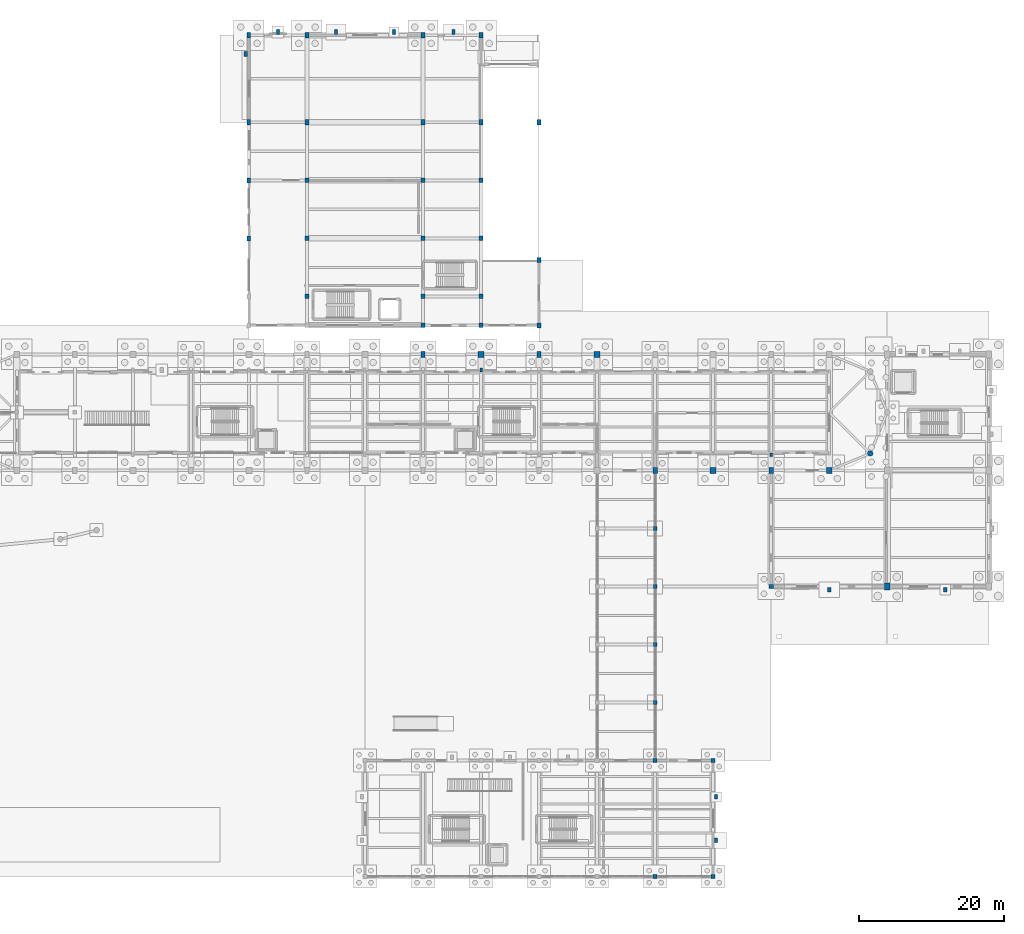
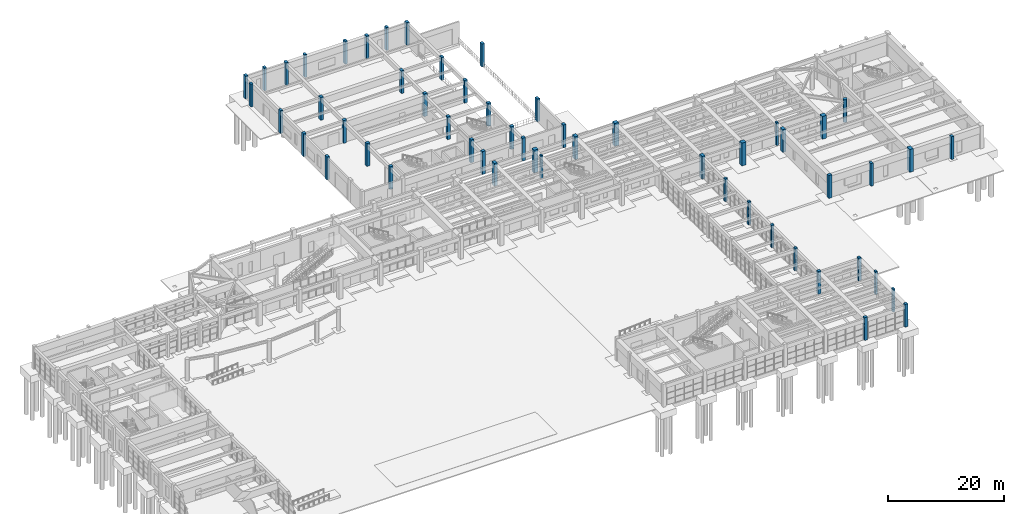
# One storey, part 8 of 68: 54 columns.
"""IFC4 building model written with IfcOpenShell, lengths in metres."""

from ifc_helpers import new_model, si_unit, direction, frame, origin, origin_2d, place, context, subcontext, project, spatial, rectangle, circle, extrude, material, material_profile, profile_set, type_object, element, save


model = new_model("IFC4")

# Units and contexts
model_context = context("Model", 3, precision=1e-05, world=origin(), true_north=direction((0.0, 1.0)))
body_context = subcontext(model_context, "Body", "Model", "MODEL_VIEW")
ifc_project = project(units=[si_unit("LENGTHUNIT", "METRE"), si_unit("AREAUNIT", "SQUARE_METRE"), si_unit("VOLUMEUNIT", "CUBIC_METRE"), si_unit("PLANEANGLEUNIT", "RADIAN"), si_unit("MASSUNIT", "GRAM", prefix="KILO")], contexts=[model_context])

# Site, building, storey
site_placement = place(None, origin())
site = spatial("IfcSite", under=ifc_project, at=site_placement, CompositionType="ELEMENT")
building_placement = place(site_placement, origin())
building = spatial("IfcBuilding", under=site, at=building_placement, Name="Serraluz Foothill Cableway Terminal", CompositionType="ELEMENT")
storey_placement = place(building_placement, origin())
storey = spatial("IfcBuildingStorey", under=building, at=storey_placement, Name="L00", CompositionType="ELEMENT", Elevation=0.0)

# Columns
ifc_material_1 = material(Name="Concrete C35/45 (f'c 35 MPa)", Category="concrete")
ifc_material_profile_1 = material_profile(ifc_material_1, rectangle(XDim=0.5, YDim=0.5, at=origin_2d()), Name="RC 500x500")
ifc_profile_set_1 = profile_set([ifc_material_profile_1], Name="Concrete C35/45 (f'c 35 MPa)")
column_type_1 = type_object("IfcColumnType", Name="TYP-COL-RC500", PredefinedType="COLUMN", material=ifc_profile_set_1)
for number, where, z_axis, x_axis, name in (
    (1, (128.0, 24.0, 0.0), (0.0, 0.0, 1.0), (1.0, 0.0, 0.0), "Column COL-V3-CL-128-24-L00"),
    (2, (128.0, 32.0, 0.0), (0.0, 0.0, 1.0), (1.0, 0.0, 0.0), "Column COL-V3-CL-128-32-L00"),
    (3, (128.0, 40.0, 0.0), (0.0, 0.0, 1.0), (1.0, 0.0, 0.0), "Column COL-V3-CL-128-40-L00"),
    (4, (128.0, 48.0, 0.0), (0.0, 0.0, 1.0), (1.0, 0.0, 0.0), "Column COL-V3-CL-128-48-L00"),
):
    element("IfcColumn", number, at=place(storey_placement, frame(where, z_axis=z_axis, x_axis=x_axis)), inside=storey, type_object=column_type_1, Name=name, PredefinedType="COLUMN", context=body_context, shape_type="SweptSolid", body=[
        extrude(rectangle(XDim=0.5, YDim=0.5, at=origin_2d()), origin(), (0.0, 0.0, 1.0), 4.800048828125),
    ])
ifc_material_profile_2 = material_profile(ifc_material_1, rectangle(XDim=0.5, YDim=0.699951171875, at=origin_2d()), Name="RC 500x700")
ifc_profile_set_2 = profile_set([ifc_material_profile_2], Name="Concrete C35/45 (f'c 35 MPa)")
column_type_2 = type_object("IfcColumnType", Name="TYP-COL-RC500X700", PredefinedType="COLUMN", material=ifc_profile_set_2)
for number, where, z_axis, x_axis, name in (
    (5, (72.0, 88.0, 0.0), (0.0, 0.0, 1.0), (1.0, 0.0, 0.0), "Column COL-V4-72-880-L00"),
    (6, (72.0, 96.0, 0.0), (0.0, 0.0, 1.0), (1.0, 0.0, 0.0), "Column COL-V4-72-960-L00"),
    (7, (72.0, 104.0, 0.0), (0.0, 0.0, 1.0), (1.0, 0.0, 0.0), "Column COL-V4-72-1040-L00"),
    (8, (72.0, 116.0, 0.0), (0.0, 0.0, 1.0), (1.0, 0.0, 0.0), "Column COL-V4-72-1160-L00"),
    (9, (80.0, 104.0, 0.0), (0.0, 0.0, 1.0), (1.0, 0.0, 0.0), "Column COL-V4-80-1040-L00"),
    (10, (80.0, 116.0, 0.0), (0.0, 0.0, 1.0), (1.0, 0.0, 0.0), "Column COL-V4-80-1160-L00"),
    (11, (96.0, 104.0, 0.0), (0.0, 0.0, 1.0), (1.0, 0.0, 0.0), "Column COL-V4-96-1040-L00"),
    (12, (96.0, 116.0, 0.0), (0.0, 0.0, 1.0), (1.0, 0.0, 0.0), "Column COL-V4-96-1160-L00"),
    (13, (104.0, 104.0, 0.0), (0.0, 0.0, 1.0), (1.0, 0.0, 0.0), "Column COL-V4-104-1040-L00"),
    (14, (104.0, 116.0, 0.0), (0.0, 0.0, 1.0), (1.0, 0.0, 0.0), "Column COL-V4-104-1160-L00"),
    (15, (112.0, 76.0, 0.0), (0.0, 0.0, 1.0), (1.0, 0.0, 0.0), "Column COL-V4-112-760-L00"),
    (16, (112.0, 85.0, 0.0), (0.0, 0.0, 1.0), (1.0, 0.0, 0.0), "Column COL-V4-112-850-L00"),
    (17, (112.0, 104.0, 0.0), (0.0, 0.0, 1.0), (1.0, 0.0, 0.0), "Column COL-V4-112-1040-L00"),
):
    element("IfcColumn", number, at=place(storey_placement, frame(where, z_axis=z_axis, x_axis=x_axis)), inside=storey, type_object=column_type_2, Name=name, PredefinedType="COLUMN", context=body_context, shape_type="SweptSolid", body=[
        extrude(rectangle(XDim=0.5, YDim=0.699951171875, at=origin_2d()), origin(), (0.0, 0.0, 1.0), 4.800048828125),
    ])
ifc_material_profile_3 = material_profile(ifc_material_1, rectangle(XDim=0.550048828125, YDim=0.550048828125, at=origin_2d()), Name="RC 550x550")
ifc_profile_set_3 = profile_set([ifc_material_profile_3], Name="Concrete C35/45 (f'c 35 MPa)")
column_type_3 = type_object("IfcColumnType", Name="TYP-COL-RC550", PredefinedType="COLUMN", material=ifc_profile_set_3)
for number, where, z_axis, x_axis, name in (
    (18, (128.0, 0.0, 0.0), (0.0, 0.0, 1.0), (1.0, 0.0, 0.0), "Column COL-V3-128-0-L00"),
    (19, (128.0, 16.0, 0.0), (0.0, 0.0, 1.0), (1.0, 0.0, 0.0), "Column COL-V3-128-16-L00"),
    (20, (136.0, 0.0, 0.0), (0.0, 0.0, 1.0), (1.0, 0.0, 0.0), "Column COL-V3-136-0-L00"),
    (21, (136.0, 16.0, 0.0), (0.0, 0.0, 1.0), (1.0, 0.0, 0.0), "Column COL-V3-136-16-L00"),
):
    element("IfcColumn", number, at=place(storey_placement, frame(where, z_axis=z_axis, x_axis=x_axis)), inside=storey, type_object=column_type_3, Name=name, PredefinedType="COLUMN", context=body_context, shape_type="SweptSolid", body=[
        extrude(rectangle(XDim=0.550048828125, YDim=0.550048828125, at=origin_2d()), origin(), (0.0, 0.0, 1.0), 4.800048828125),
    ])
ifc_material_profile_4 = material_profile(ifc_material_1, rectangle(XDim=0.60009765625, YDim=0.60009765625, at=origin_2d()), Name="RC 600x600")
ifc_profile_set_4 = profile_set([ifc_material_profile_4], Name="Concrete C35/45 (f'c 35 MPa)")
column_type_4 = type_object("IfcColumnType", Name="TYP-COL-RC600", PredefinedType="COLUMN", material=ifc_profile_set_4)
for number, where, z_axis, x_axis, name in (
    (22, (144.0, 40.0, 0.0), (0.0, 0.0, 1.0), (1.0, 0.0, 0.0), "Column COL-V2-144-40-L00"),
    (23, (80.0, 80.0, 0.0), (0.0, 0.0, 1.0), (1.0, 0.0, 0.0), "Column COL-V4-80-800-L00"),
    (24, (80.0, 88.0, 0.0), (0.0, 0.0, 1.0), (1.0, 0.0, 0.0), "Column COL-V4-80-880-L00"),
    (25, (80.0, 96.0, 0.0), (0.0, 0.0, 1.0), (1.0, 0.0, 0.0), "Column COL-V4-80-960-L00"),
    (26, (96.0, 76.0, 0.0), (0.0, 0.0, 1.0), (1.0, 0.0, 0.0), "Column COL-V4-96-760-L00"),
    (27, (96.0, 80.0, 0.0), (0.0, 0.0, 1.0), (1.0, 0.0, 0.0), "Column COL-V4-96-800-L00"),
    (28, (96.0, 88.0, 0.0), (0.0, 0.0, 1.0), (1.0, 0.0, 0.0), "Column COL-V4-96-880-L00"),
    (29, (96.0, 96.0, 0.0), (0.0, 0.0, 1.0), (1.0, 0.0, 0.0), "Column COL-V4-96-960-L00"),
    (30, (104.0, 76.0, 0.0), (0.0, 0.0, 1.0), (1.0, 0.0, 0.0), "Column COL-V4-104-760-L00"),
    (31, (104.0, 80.0, 0.0), (0.0, 0.0, 1.0), (1.0, 0.0, 0.0), "Column COL-V4-104-800-L00"),
    (32, (104.0, 88.0, 0.0), (0.0, 0.0, 1.0), (1.0, 0.0, 0.0), "Column COL-V4-104-880-L00"),
    (33, (104.0, 96.0, 0.0), (0.0, 0.0, 1.0), (1.0, 0.0, 0.0), "Column COL-V4-104-960-L00"),
):
    element("IfcColumn", number, at=place(storey_placement, frame(where, z_axis=z_axis, x_axis=x_axis)), inside=storey, type_object=column_type_4, Name=name, PredefinedType="COLUMN", context=body_context, shape_type="SweptSolid", body=[
        extrude(rectangle(XDim=0.60009765625, YDim=0.60009765625, at=origin_2d()), origin(), (0.0, 0.0, 1.0), 4.800048828125),
    ])
ifc_material_profile_5 = material_profile(ifc_material_1, rectangle(XDim=0.60009765625, YDim=0.85009765625, at=origin_2d()), Name="RC 600x850")
ifc_profile_set_5 = profile_set([ifc_material_profile_5], Name="Concrete C35/45 (f'c 35 MPa)")
column_type_5 = type_object("IfcColumnType", Name="TYP-COL-RC600X850", PredefinedType="COLUMN", material=ifc_profile_set_5)
for number, where, z_axis, x_axis, name in (
    (34, (96.0, 72.0, 0.0), (0.0, 0.0, 1.0), (1.0, 0.0, 0.0), "Column COL-V1-N-96-L00"),
    (35, (112.0, 72.0, 0.0), (0.0, 0.0, 1.0), (1.0, 0.0, 0.0), "Column COL-V1-N-112-L00"),
    (36, (128.0, 56.0, 0.0), (0.0, 0.0, 1.0), (1.0, 0.0, 0.0), "Column COL-V1-S-128-L00"),
    (37, (144.0, 56.0, 0.0), (0.0, 0.0, 1.0), (1.0, 0.0, 0.0), "Column COL-V1-S-144-L00"),
):
    element("IfcColumn", number, at=place(storey_placement, frame(where, z_axis=z_axis, x_axis=x_axis)), inside=storey, type_object=column_type_5, Name=name, PredefinedType="COLUMN", context=body_context, shape_type="SweptSolid", body=[
        extrude(rectangle(XDim=0.60009765625, YDim=0.85009765625, at=origin_2d()), origin(), (0.0, 0.0, 1.0), 4.800048828125),
    ])
ifc_material_profile_6 = material_profile(ifc_material_1, rectangle(XDim=0.699951171875, YDim=1.0, at=origin_2d()), Name="RC 700x1000")
ifc_profile_set_6 = profile_set([ifc_material_profile_6], Name="Concrete C35/45 (f'c 35 MPa)")
column_type_6 = type_object("IfcColumnType", Name="TYP-COL-RC700X1000", PredefinedType="COLUMN", material=ifc_profile_set_6)
column_1_placement = place(storey_placement, frame((160.0, 40.0, 0.0), z_axis=(0.0, 0.0, 1.0), x_axis=(1.0, 0.0, 0.0)))
element("IfcColumn", 38, at=column_1_placement, inside=storey, type_object=column_type_6, Name="Column COL-V2-160-40-L00", PredefinedType="COLUMN", context=body_context, shape_type="SweptSolid", body=[
    extrude(rectangle(XDim=0.699951171875, YDim=1.0, at=origin_2d()), origin(), (0.0, 0.0, 1.0), 4.800048828125),
])
ifc_material_profile_7 = material_profile(ifc_material_1, rectangle(XDim=0.800048828125, YDim=0.800048828125, at=origin_2d()), Name="RC 800x800")
ifc_profile_set_7 = profile_set([ifc_material_profile_7], Name="Concrete C35/45 (f'c 35 MPa)")
column_type_7 = type_object("IfcColumnType", Name="TYP-COL-RC800", PredefinedType="COLUMN", material=ifc_profile_set_7)
for number, where, z_axis, x_axis, name in (
    (39, (104.0, 72.0, 0.0), (0.0, 0.0, 1.0), (1.0, 0.0, 0.0), "Column COL-V1-N-104-L00"),
    (40, (120.0, 72.0, 0.0), (0.0, 0.0, 1.0), (1.0, 0.0, 0.0), "Column COL-V1-N-120-L00"),
    (41, (136.0, 56.0, 0.0), (0.0, 0.0, 1.0), (1.0, 0.0, 0.0), "Column COL-V1-S-136-L00"),
    (42, (152.0, 56.0, 0.0), (0.0, 0.0, 1.0), (1.0, 0.0, 0.0), "Column COL-V1-S-152-L00"),
):
    element("IfcColumn", number, at=place(storey_placement, frame(where, z_axis=z_axis, x_axis=x_axis)), inside=storey, type_object=column_type_7, Name=name, PredefinedType="COLUMN", context=body_context, shape_type="SweptSolid", body=[
        extrude(rectangle(XDim=0.800048828125, YDim=0.800048828125, at=origin_2d()), origin(), (0.0, 0.0, 1.0), 4.800048828125),
    ])
ifc_material_profile_8 = material_profile(ifc_material_1, circle(Radius=0.375, at=origin_2d()), Name="RC D750")
ifc_profile_set_8 = profile_set([ifc_material_profile_8], Name="Concrete C35/45 (f'c 35 MPa)")
column_type_8 = type_object("IfcColumnType", Name="TYP-COL-RCD750", PredefinedType="COLUMN", material=ifc_profile_set_8)
column_2_placement = place(storey_placement, frame((157.656982421875, 58.343017578125, 0.0), z_axis=(0.0, 0.0, 1.0), x_axis=(1.0, 0.0, 0.0)))
element("IfcColumn", 43, at=column_2_placement, inside=storey, type_object=column_type_8, Name="Column COL-V1-ARC-E1-L00", PredefinedType="COLUMN", context=body_context, shape_type="SweptSolid", body=[
    extrude(circle(Radius=0.375, at=origin_2d()), origin(), (0.0, 0.0, 1.0), 4.800048828125),
])
ifc_material_2 = material(Name="Dark clinker clay masonry brick (f'm 14 MPa)", Category="masonry")
ifc_material_profile_9 = material_profile(ifc_material_2, rectangle(XDim=0.35009765625, YDim=0.5, at=origin_2d()), Name="PIL 350x500")
ifc_profile_set_9 = profile_set([ifc_material_profile_9], Name="Dark clinker clay masonry brick (f'm 14 MPa)")
column_type_9 = type_object("IfcColumnType", Name="TYP-PIL-350X500", PredefinedType="PILASTER", material=ifc_profile_set_9)
for number, where, z_axis, x_axis, name in (
    (44, (144.0, 58.14990234375, 0.0), (0.0, 0.0, 1.0), (1.0, 0.0, 0.0), "Brick Pilaster Pier PL-05 L00"),
    (45, (104.0, 69.85009765625, 0.0), (0.0, 0.0, 1.0), (1.0, 0.0, 0.0), "Brick Pilaster Pier PL-09 L00"),
):
    element("IfcColumn", number, at=place(storey_placement, frame(where, z_axis=z_axis, x_axis=x_axis)), inside=storey, type_object=column_type_9, Name=name, PredefinedType="PILASTER", context=body_context, shape_type="SweptSolid", body=[
        extrude(rectangle(XDim=0.35009765625, YDim=0.5, at=origin_2d()), origin(), (0.0, 0.0, 1.0), 4.800048828125),
    ])
ifc_material_3 = material(Name="Fired clay masonry brick (f'm 12 MPa)", Category="masonry")
ifc_material_profile_10 = material_profile(ifc_material_3, rectangle(XDim=0.39990234375, YDim=0.60009765625, at=origin_2d()), Name="PIL 400x600")
ifc_profile_set_10 = profile_set([ifc_material_profile_10], Name="Fired clay masonry brick (f'm 12 MPa)")
column_type_10 = type_object("IfcColumnType", Name="TYP-PIL-400X600", PredefinedType="PILASTER", material=ifc_profile_set_10)
for number, where, z_axis, x_axis, name in (
    (46, (136.419921875, 5.0, 0.0), (0.0, 0.0, 1.0), (1.0, 0.0, 0.0), "Brick Pilaster Pier PL-23 L00"),
    (47, (136.419921875, 11.0, 0.0), (0.0, 0.0, 1.0), (1.0, 0.0, 0.0), "Brick Pilaster Pier PL-24 L00"),
):
    element("IfcColumn", number, at=place(storey_placement, frame(where, z_axis=z_axis, x_axis=x_axis)), inside=storey, type_object=column_type_10, Name=name, PredefinedType="PILASTER", context=body_context, shape_type="SweptSolid", body=[
        extrude(rectangle(XDim=0.39990234375, YDim=0.60009765625, at=origin_2d()), origin(), (0.0, 0.0, 1.0), 4.800048828125),
    ])
ifc_material_4 = material(Name="Andean basalt ashlar masonry (f'm 18 MPa)", Category="masonry")
ifc_material_profile_11 = material_profile(ifc_material_4, rectangle(XDim=0.449951171875, YDim=0.64990234375, at=origin_2d()), Name="PIL 450x650")
ifc_profile_set_11 = profile_set([ifc_material_profile_11], Name="Andean basalt ashlar masonry (f'm 18 MPa)")
column_type_11 = type_object("IfcColumnType", Name="TYP-PIL-450X650", PredefinedType="PILASTER", material=ifc_profile_set_11)
for number, where, z_axis, x_axis, name in (
    (48, (152.0, 39.550048828125, 0.0), (0.0, 0.0, 1.0), (1.0, 0.0, 0.0), "Brick Pilaster Pier PL-11 L00"),
    (49, (168.0, 39.550048828125, 0.0), (0.0, 0.0, 1.0), (1.0, 0.0, 0.0), "Brick Pilaster Pier PL-12 L00"),
    (50, (100.199951171875, 116.449951171875, 0.0), (0.0, 0.0, 1.0), (1.0, 0.0, 0.0), "Brick Pilaster Pier PL-26 L00"),
    (51, (71.550048828125, 113.39990234375, 0.0), (0.0, 0.0, 1.0), (1.0, 0.0, 0.0), "Brick Pilaster Pier PL-27 L00"),
    (52, (76.0, 116.449951171875, 0.0), (0.0, 0.0, 1.0), (1.0, 0.0, 0.0), "Brick Pilaster Pier PL-28 L00"),
    (53, (84.0, 116.449951171875, 0.0), (0.0, 0.0, 1.0), (1.0, 0.0, 0.0), "Brick Pilaster Pier PL-29 L00"),
    (54, (92.0, 116.449951171875, 0.0), (0.0, 0.0, 1.0), (1.0, 0.0, 0.0), "Brick Pilaster Pier PL-30 L00"),
):
    element("IfcColumn", number, at=place(storey_placement, frame(where, z_axis=z_axis, x_axis=x_axis)), inside=storey, type_object=column_type_11, Name=name, PredefinedType="PILASTER", context=body_context, shape_type="SweptSolid", body=[
        extrude(rectangle(XDim=0.449951171875, YDim=0.64990234375, at=origin_2d()), origin(), (0.0, 0.0, 1.0), 4.800048828125),
    ])

save(model, "model.ifc")
